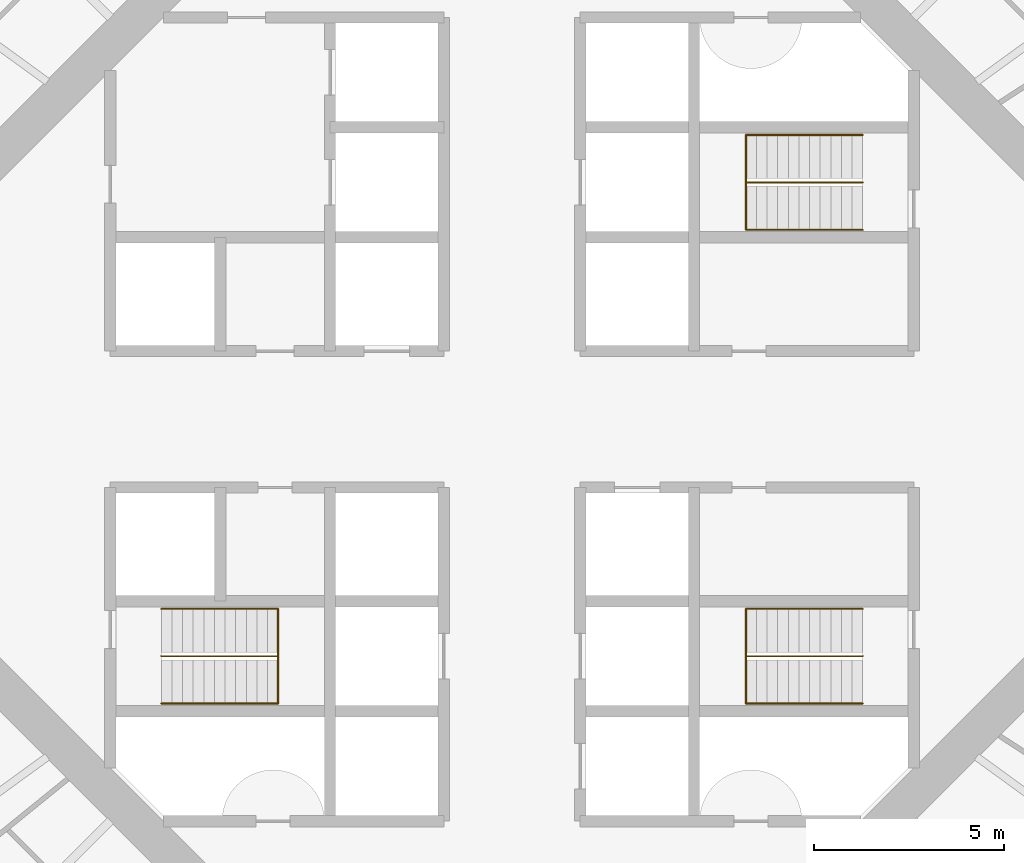
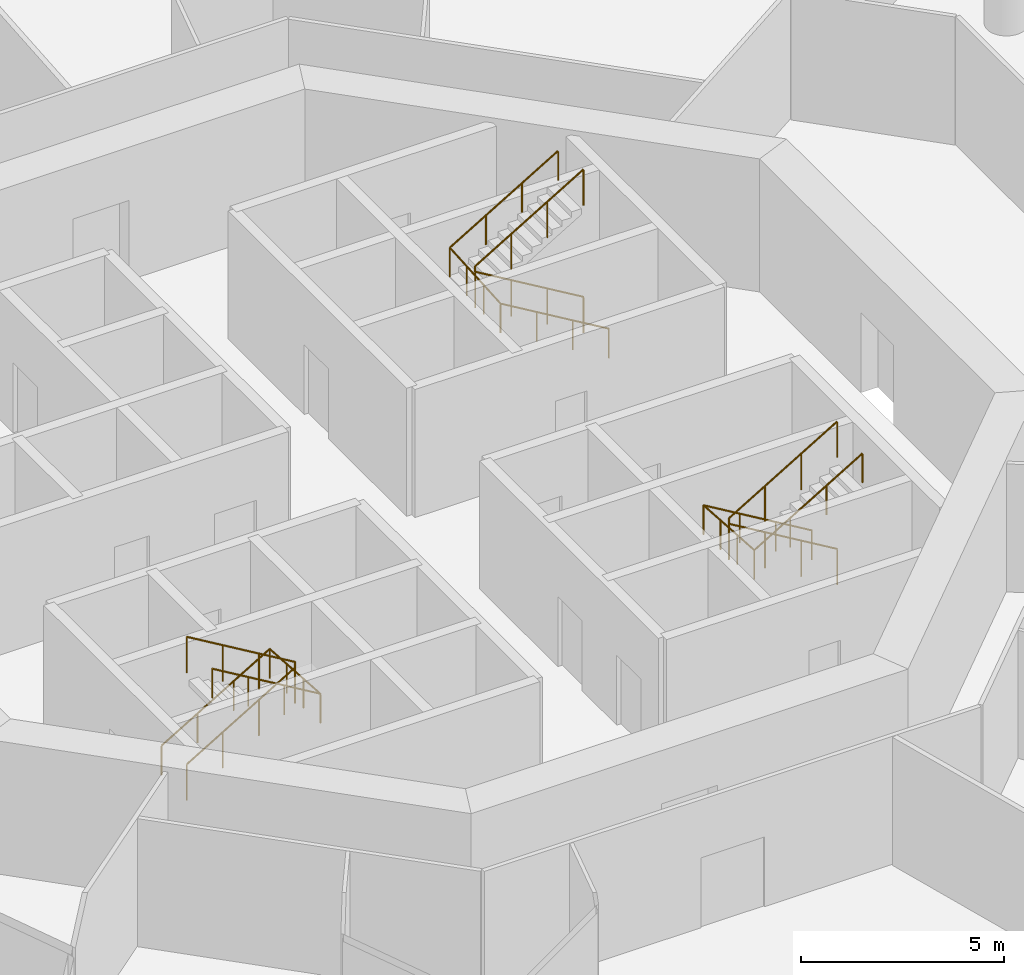
# One storey, part 13 of 13: 6 railings.
"""IFC4 building model written with IfcOpenShell, lengths in metres."""

from ifc_helpers import new_model, si_unit, direction, frame, origin, origin_2d, place, context, subcontext, project, spatial, circle, extrude, material, type_object, element, save


model = new_model("IFC4")

# Units and contexts
model_context = context("Model", 3, precision=1e-05, world=origin(), true_north=direction((0.0, 1.0)))
body_context = subcontext(model_context, "Body", "Model", "MODEL_VIEW")
ifc_project = project(units=[si_unit("LENGTHUNIT", "METRE"), si_unit("AREAUNIT", "SQUARE_METRE"), si_unit("VOLUMEUNIT", "CUBIC_METRE"), si_unit("PLANEANGLEUNIT", "RADIAN"), si_unit("MASSUNIT", "GRAM", prefix="KILO")], contexts=[model_context])

# Site, building, storey
site_placement = place(None, origin())
site = spatial("IfcSite", under=ifc_project, at=site_placement, CompositionType="ELEMENT")
building_placement = place(site_placement, origin())
building = spatial("IfcBuilding", under=site, at=building_placement, Name="Entoto Ring Tower", CompositionType="ELEMENT")
storey_placement = place(building_placement, frame((0.0, 0.0, 168.0)))
storey = spatial("IfcBuildingStorey", under=building, at=storey_placement, Name="L38", CompositionType="ELEMENT", Elevation=168.0)

# Railings
ifc_material_1 = material(Name="Steel S275", Category="steel")
railing_type_1 = type_object("IfcRailingType", Name="Stair guard 1100 mm steel", PredefinedType="GUARDRAIL", material=ifc_material_1)
railing_1_placement = place(storey_placement, frame((99.25, 86.25, 0.166748046875)))
element("IfcRailing", 1, at=railing_1_placement, inside=storey, type_object=railing_type_1, Name="Guard ST1", PredefinedType="GUARDRAIL", context=body_context, shape_type="SweptSolid", body=[
    extrude(circle(Radius=0.02392578125, at=origin_2d()), frame((0.0, 0.0, 1.076171875), z_axis=(-0.859308565015, 0.0, 0.511457515432), x_axis=(0.0, -1.0, 0.0)), (0.0, 0.0, 1.0), 3.58447265625),
    extrude(circle(Radius=0.02392578125, at=origin_2d()), frame((-3.080078125, 0.0, 2.9091796875), z_axis=(0.0, 0.0, 1.0), x_axis=(1.0, 0.0, 0.0)), (0.0, 0.0, 1.0), 0.166748046875),
    extrude(circle(Radius=0.02392578125, at=origin_2d()), frame((-3.080078125, 0.0, 3.076171875), z_axis=(0.859308565015, 0.0, 0.511457515432), x_axis=(0.0, 1.0, 0.0)), (0.0, 0.0, 1.0), 3.58447265625),
    extrude(circle(Radius=0.02099609375, at=origin_2d()), origin(), (0.0, 0.0, 1.0), 1.052001953125),
    extrude(circle(Radius=0.02099609375, at=origin_2d()), frame((-1.026611328125, 0.0, 0.611083984375)), (0.0, 0.0, 1.0), 1.052001953125),
    extrude(circle(Radius=0.02099609375, at=origin_2d()), frame((-2.053466796875, 0.0, 1.22216796875)), (0.0, 0.0, 1.0), 1.052001953125),
    extrude(circle(Radius=0.02099609375, at=origin_2d()), frame((-3.080078125, 0.0, 1.833251953125)), (0.0, 0.0, 1.0), 1.052001953125),
    extrude(circle(Radius=0.02099609375, at=origin_2d()), frame((-3.080078125, 0.0, 2.0)), (0.0, 0.0, 1.0), 1.052001953125),
    extrude(circle(Radius=0.02099609375, at=origin_2d()), frame((-2.053466796875, 0.0, 2.611083984375)), (0.0, 0.0, 1.0), 1.052001953125),
    extrude(circle(Radius=0.02099609375, at=origin_2d()), frame((-1.026611328125, 0.0, 3.22216796875)), (0.0, 0.0, 1.0), 1.052001953125),
    extrude(circle(Radius=0.02099609375, at=origin_2d()), frame((0.0, 0.0, 3.833251953125)), (0.0, 0.0, 1.0), 1.052001953125),
])
railing_2_placement = place(storey_placement, frame((80.75, 73.75, 0.166748046875)))
element("IfcRailing", 2, at=railing_2_placement, inside=storey, type_object=railing_type_1, Name="Guard ST2", PredefinedType="GUARDRAIL", context=body_context, shape_type="SweptSolid", body=[
    extrude(circle(Radius=0.02392578125, at=origin_2d()), frame((0.0, 0.0, 1.076171875), z_axis=(0.859308565015, 0.0, 0.511457515432), x_axis=(0.0, 1.0, 0.0)), (0.0, 0.0, 1.0), 3.58447265625),
    extrude(circle(Radius=0.02392578125, at=origin_2d()), frame((3.080078125, 0.0, 2.9091796875), z_axis=(0.0, 0.0, 1.0), x_axis=(1.0, 0.0, 0.0)), (0.0, 0.0, 1.0), 0.166748046875),
    extrude(circle(Radius=0.02392578125, at=origin_2d()), frame((3.080078125, 0.0, 3.076171875), z_axis=(-0.859308565015, 0.0, 0.511457515432), x_axis=(0.0, -1.0, 0.0)), (0.0, 0.0, 1.0), 3.58447265625),
    extrude(circle(Radius=0.02099609375, at=origin_2d()), origin(), (0.0, 0.0, 1.0), 1.052001953125),
    extrude(circle(Radius=0.02099609375, at=origin_2d()), frame((1.026611328125, 0.0, 0.611083984375)), (0.0, 0.0, 1.0), 1.052001953125),
    extrude(circle(Radius=0.02099609375, at=origin_2d()), frame((2.053466796875, 0.0, 1.22216796875)), (0.0, 0.0, 1.0), 1.052001953125),
    extrude(circle(Radius=0.02099609375, at=origin_2d()), frame((3.080078125, 0.0, 1.833251953125)), (0.0, 0.0, 1.0), 1.052001953125),
    extrude(circle(Radius=0.02099609375, at=origin_2d()), frame((3.080078125, 0.0, 2.0)), (0.0, 0.0, 1.0), 1.052001953125),
    extrude(circle(Radius=0.02099609375, at=origin_2d()), frame((2.053466796875, 0.0, 2.611083984375)), (0.0, 0.0, 1.0), 1.052001953125),
    extrude(circle(Radius=0.02099609375, at=origin_2d()), frame((1.026611328125, 0.0, 3.22216796875)), (0.0, 0.0, 1.0), 1.052001953125),
    extrude(circle(Radius=0.02099609375, at=origin_2d()), frame((0.0, 0.0, 3.833251953125)), (0.0, 0.0, 1.0), 1.052001953125),
])
railing_3_placement = place(storey_placement, frame((99.25, 73.75, 0.166748046875)))
element("IfcRailing", 3, at=railing_3_placement, inside=storey, type_object=railing_type_1, Name="Guard ST3", PredefinedType="GUARDRAIL", context=body_context, shape_type="SweptSolid", body=[
    extrude(circle(Radius=0.02392578125, at=origin_2d()), frame((0.0, 0.0, 1.076171875), z_axis=(-0.859308565015, 0.0, 0.511457515432), x_axis=(0.0, -1.0, 0.0)), (0.0, 0.0, 1.0), 3.58447265625),
    extrude(circle(Radius=0.02392578125, at=origin_2d()), frame((-3.080078125, 0.0, 2.9091796875), z_axis=(0.0, 0.0, 1.0), x_axis=(1.0, 0.0, 0.0)), (0.0, 0.0, 1.0), 0.166748046875),
    extrude(circle(Radius=0.02392578125, at=origin_2d()), frame((-3.080078125, 0.0, 3.076171875), z_axis=(0.859308565015, 0.0, 0.511457515432), x_axis=(0.0, 1.0, 0.0)), (0.0, 0.0, 1.0), 3.58447265625),
    extrude(circle(Radius=0.02099609375, at=origin_2d()), origin(), (0.0, 0.0, 1.0), 1.052001953125),
    extrude(circle(Radius=0.02099609375, at=origin_2d()), frame((-1.026611328125, 0.0, 0.611083984375)), (0.0, 0.0, 1.0), 1.052001953125),
    extrude(circle(Radius=0.02099609375, at=origin_2d()), frame((-2.053466796875, 0.0, 1.22216796875)), (0.0, 0.0, 1.0), 1.052001953125),
    extrude(circle(Radius=0.02099609375, at=origin_2d()), frame((-3.080078125, 0.0, 1.833251953125)), (0.0, 0.0, 1.0), 1.052001953125),
    extrude(circle(Radius=0.02099609375, at=origin_2d()), frame((-3.080078125, 0.0, 2.0)), (0.0, 0.0, 1.0), 1.052001953125),
    extrude(circle(Radius=0.02099609375, at=origin_2d()), frame((-2.053466796875, 0.0, 2.611083984375)), (0.0, 0.0, 1.0), 1.052001953125),
    extrude(circle(Radius=0.02099609375, at=origin_2d()), frame((-1.026611328125, 0.0, 3.22216796875)), (0.0, 0.0, 1.0), 1.052001953125),
    extrude(circle(Radius=0.02099609375, at=origin_2d()), frame((0.0, 0.0, 3.833251953125)), (0.0, 0.0, 1.0), 1.052001953125),
])
ifc_material_2 = material(Name="Steel S275", Category="steel")
railing_type_2 = type_object("IfcRailingType", Name="Stair handrail 900 mm steel", PredefinedType="HANDRAIL", material=ifc_material_2)
railing_4_placement = place(storey_placement, frame((99.25, 85.0, 0.166748046875)))
element("IfcRailing", 4, at=railing_4_placement, inside=storey, type_object=railing_type_2, Name="Handrail ST1", PredefinedType="HANDRAIL", context=body_context, shape_type="SweptSolid", body=[
    extrude(circle(Radius=0.02392578125, at=origin_2d()), frame((0.0, 0.0, 0.8759765625), z_axis=(-0.859308565015, 0.0, 0.511457515432), x_axis=(0.0, -1.0, 0.0)), (0.0, 0.0, 1.0), 3.58447265625),
    extrude(circle(Radius=0.02392578125, at=origin_2d()), frame((-3.080078125, 0.0, 2.708984375), z_axis=(0.0, 0.997783001586, 0.066551346688), x_axis=(-1.0, 0.0, 0.0)), (0.0, 0.0, 1.0), 2.505615234375),
    extrude(circle(Radius=0.02392578125, at=origin_2d()), frame((-3.080078125, 2.5, 2.8759765625), z_axis=(0.859308565015, 0.0, 0.511457515432), x_axis=(0.0, 1.0, 0.0)), (0.0, 0.0, 1.0), 3.58447265625),
    extrude(circle(Radius=0.02099609375, at=origin_2d()), origin(), (0.0, 0.0, 1.0), 0.851806640625),
    extrude(circle(Radius=0.02099609375, at=origin_2d()), frame((-1.026611328125, 0.0, 0.611083984375)), (0.0, 0.0, 1.0), 0.851806640625),
    extrude(circle(Radius=0.02099609375, at=origin_2d()), frame((-2.053466796875, 0.0, 1.22216796875)), (0.0, 0.0, 1.0), 0.851806640625),
    extrude(circle(Radius=0.02099609375, at=origin_2d()), frame((-3.080078125, 0.0, 1.833251953125)), (0.0, 0.0, 1.0), 0.851806640625),
    extrude(circle(Radius=0.02099609375, at=origin_2d()), frame((-3.080078125, 0.833251953125, 1.888916015625)), (0.0, 0.0, 1.0), 0.851806640625),
    extrude(circle(Radius=0.02099609375, at=origin_2d()), frame((-3.080078125, 1.666748046875, 1.9443359375)), (0.0, 0.0, 1.0), 0.851806640625),
    extrude(circle(Radius=0.02099609375, at=origin_2d()), frame((-3.080078125, 2.5, 2.0)), (0.0, 0.0, 1.0), 0.851806640625),
    extrude(circle(Radius=0.02099609375, at=origin_2d()), frame((-2.053466796875, 2.5, 2.611083984375)), (0.0, 0.0, 1.0), 0.851806640625),
    extrude(circle(Radius=0.02099609375, at=origin_2d()), frame((-1.026611328125, 2.5, 3.22216796875)), (0.0, 0.0, 1.0), 0.851806640625),
    extrude(circle(Radius=0.02099609375, at=origin_2d()), frame((0.0, 2.5, 3.833251953125)), (0.0, 0.0, 1.0), 0.851806640625),
])
railing_5_placement = place(storey_placement, frame((80.75, 75.0, 0.166748046875)))
element("IfcRailing", 5, at=railing_5_placement, inside=storey, type_object=railing_type_2, Name="Handrail ST2", PredefinedType="HANDRAIL", context=body_context, shape_type="SweptSolid", body=[
    extrude(circle(Radius=0.02392578125, at=origin_2d()), frame((0.0, 0.0, 0.8759765625), z_axis=(0.859308565015, 0.0, 0.511457515432), x_axis=(0.0, 1.0, 0.0)), (0.0, 0.0, 1.0), 3.58447265625),
    extrude(circle(Radius=0.02392578125, at=origin_2d()), frame((3.080078125, 0.0, 2.708984375), z_axis=(0.0, -0.997783001586, 0.066551346688), x_axis=(1.0, 0.0, 0.0)), (0.0, 0.0, 1.0), 2.505615234375),
    extrude(circle(Radius=0.02392578125, at=origin_2d()), frame((3.080078125, -2.5, 2.8759765625), z_axis=(-0.859308565015, 0.0, 0.511457515432), x_axis=(0.0, -1.0, 0.0)), (0.0, 0.0, 1.0), 3.58447265625),
    extrude(circle(Radius=0.02099609375, at=origin_2d()), origin(), (0.0, 0.0, 1.0), 0.851806640625),
    extrude(circle(Radius=0.02099609375, at=origin_2d()), frame((1.026611328125, 0.0, 0.611083984375)), (0.0, 0.0, 1.0), 0.851806640625),
    extrude(circle(Radius=0.02099609375, at=origin_2d()), frame((2.053466796875, 0.0, 1.22216796875)), (0.0, 0.0, 1.0), 0.851806640625),
    extrude(circle(Radius=0.02099609375, at=origin_2d()), frame((3.080078125, 0.0, 1.833251953125)), (0.0, 0.0, 1.0), 0.851806640625),
    extrude(circle(Radius=0.02099609375, at=origin_2d()), frame((3.080078125, -0.833251953125, 1.888916015625)), (0.0, 0.0, 1.0), 0.851806640625),
    extrude(circle(Radius=0.02099609375, at=origin_2d()), frame((3.080078125, -1.666748046875, 1.9443359375)), (0.0, 0.0, 1.0), 0.851806640625),
    extrude(circle(Radius=0.02099609375, at=origin_2d()), frame((3.080078125, -2.5, 2.0)), (0.0, 0.0, 1.0), 0.851806640625),
    extrude(circle(Radius=0.02099609375, at=origin_2d()), frame((2.053466796875, -2.5, 2.611083984375)), (0.0, 0.0, 1.0), 0.851806640625),
    extrude(circle(Radius=0.02099609375, at=origin_2d()), frame((1.026611328125, -2.5, 3.22216796875)), (0.0, 0.0, 1.0), 0.851806640625),
    extrude(circle(Radius=0.02099609375, at=origin_2d()), frame((0.0, -2.5, 3.833251953125)), (0.0, 0.0, 1.0), 0.851806640625),
])
railing_6_placement = place(storey_placement, frame((99.25, 75.0, 0.166748046875)))
element("IfcRailing", 6, at=railing_6_placement, inside=storey, type_object=railing_type_2, Name="Handrail ST3", PredefinedType="HANDRAIL", context=body_context, shape_type="SweptSolid", body=[
    extrude(circle(Radius=0.02392578125, at=origin_2d()), frame((0.0, 0.0, 0.8759765625), z_axis=(-0.859308565015, 0.0, 0.511457515432), x_axis=(0.0, -1.0, 0.0)), (0.0, 0.0, 1.0), 3.58447265625),
    extrude(circle(Radius=0.02392578125, at=origin_2d()), frame((-3.080078125, 0.0, 2.708984375), z_axis=(0.0, -0.997783001586, 0.066551346688), x_axis=(1.0, 0.0, 0.0)), (0.0, 0.0, 1.0), 2.505615234375),
    extrude(circle(Radius=0.02392578125, at=origin_2d()), frame((-3.080078125, -2.5, 2.8759765625), z_axis=(0.859308565015, 0.0, 0.511457515432), x_axis=(0.0, 1.0, 0.0)), (0.0, 0.0, 1.0), 3.58447265625),
    extrude(circle(Radius=0.02099609375, at=origin_2d()), origin(), (0.0, 0.0, 1.0), 0.851806640625),
    extrude(circle(Radius=0.02099609375, at=origin_2d()), frame((-1.026611328125, 0.0, 0.611083984375)), (0.0, 0.0, 1.0), 0.851806640625),
    extrude(circle(Radius=0.02099609375, at=origin_2d()), frame((-2.053466796875, 0.0, 1.22216796875)), (0.0, 0.0, 1.0), 0.851806640625),
    extrude(circle(Radius=0.02099609375, at=origin_2d()), frame((-3.080078125, 0.0, 1.833251953125)), (0.0, 0.0, 1.0), 0.851806640625),
    extrude(circle(Radius=0.02099609375, at=origin_2d()), frame((-3.080078125, -0.833251953125, 1.888916015625)), (0.0, 0.0, 1.0), 0.851806640625),
    extrude(circle(Radius=0.02099609375, at=origin_2d()), frame((-3.080078125, -1.666748046875, 1.9443359375)), (0.0, 0.0, 1.0), 0.851806640625),
    extrude(circle(Radius=0.02099609375, at=origin_2d()), frame((-3.080078125, -2.5, 2.0)), (0.0, 0.0, 1.0), 0.851806640625),
    extrude(circle(Radius=0.02099609375, at=origin_2d()), frame((-2.053466796875, -2.5, 2.611083984375)), (0.0, 0.0, 1.0), 0.851806640625),
    extrude(circle(Radius=0.02099609375, at=origin_2d()), frame((-1.026611328125, -2.5, 3.22216796875)), (0.0, 0.0, 1.0), 0.851806640625),
    extrude(circle(Radius=0.02099609375, at=origin_2d()), frame((0.0, -2.5, 3.833251953125)), (0.0, 0.0, 1.0), 0.851806640625),
])

save(model, "model.ifc")
